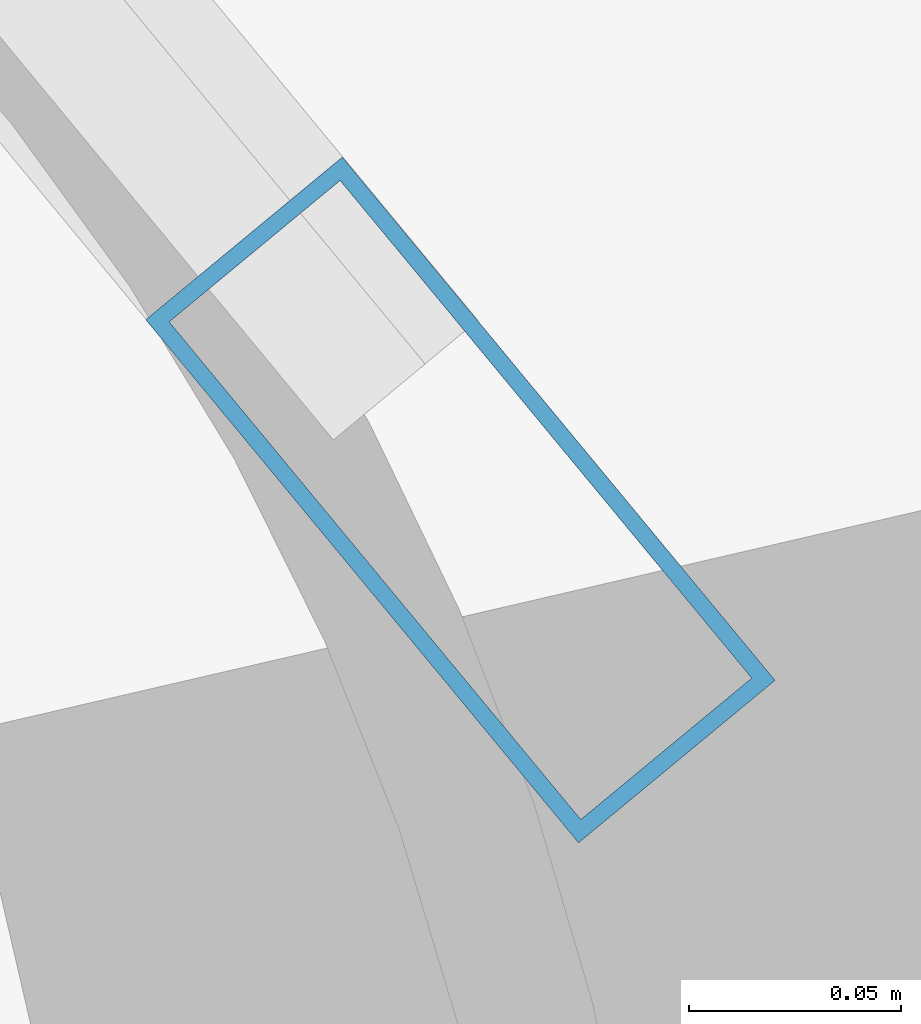
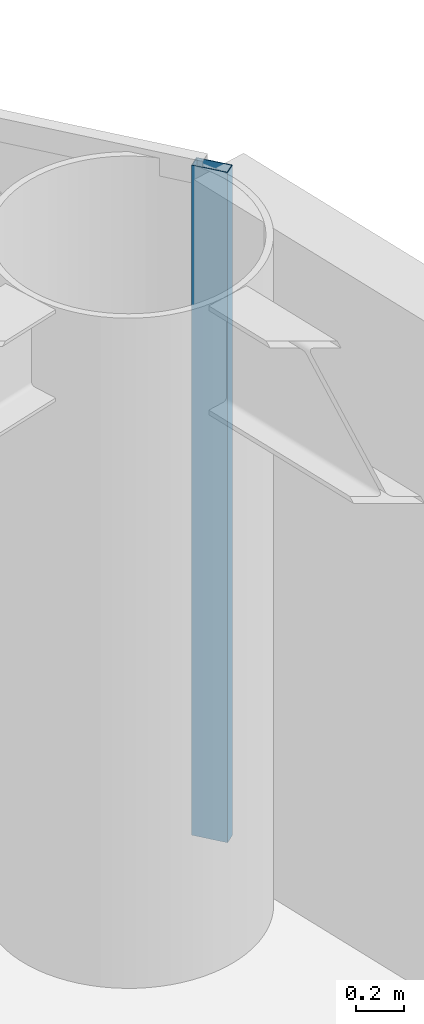
# One storey, part 9 of 28: 1 member, 1 element without a shape of its own.
"""IFC4 building model written with IfcOpenShell, lengths in metres."""

from ifc_helpers import new_model, si_unit, direction, frame, origin, origin_2d, place, context, subcontext, project, spatial, hollow_rectangle, extrude, material, layer, layer_set, material_profile, profile_set, type_object, element, aggregate, save


model = new_model("IFC4")

# Units and contexts
model_context = context("Model", 3, precision=1e-05, world=origin(), true_north=direction((0.0, 1.0)))
body_context = subcontext(model_context, "Body", "Model", "MODEL_VIEW")
ifc_project = project(units=[si_unit("LENGTHUNIT", "METRE"), si_unit("AREAUNIT", "SQUARE_METRE"), si_unit("VOLUMEUNIT", "CUBIC_METRE"), si_unit("PLANEANGLEUNIT", "RADIAN"), si_unit("MASSUNIT", "GRAM", prefix="KILO")], contexts=[model_context])

# Site, building, storey
site_placement = place(None, origin())
site = spatial("IfcSite", under=ifc_project, at=site_placement, CompositionType="ELEMENT")
building_placement = place(site_placement, origin())
building = spatial("IfcBuilding", under=site, at=building_placement, Name="Sarneth Arch Tower", CompositionType="ELEMENT")
storey_placement = place(building_placement, frame((0.0, 0.0, 190.199951171875)))
storey = spatial("IfcBuildingStorey", under=building, at=storey_placement, Name="L48", CompositionType="ELEMENT", Elevation=190.199951171875)

# Curtain wall, member
ifc_material_1 = material(Name="Anodised aluminium Type AA25 and solar-control low-e laminated IGU", Category="aluminium")
ifc_layer = layer(ifc_material_1, 0.169921875)
ifc_layer_set = layer_set([ifc_layer], Name="Anodised aluminium Type AA25 and solar-control low-e laminated IGU")
curtain_wall_type = type_object("IfcCurtainWallType", Name="CW-RES-MID", PredefinedType="NOTDEFINED", material=ifc_layer_set)
curtain_wall_placement = place(storey_placement, origin())
curtain_wall = element("IfcCurtainWall", 1, at=curtain_wall_placement, inside=storey, type_object=curtain_wall_type, Name="L48 Unitised curtain wall facet 02", PredefinedType="NOTDEFINED")
ifc_material_2 = material(Name="Anodised Aluminium 6063-T6", Category="aluminium")
ifc_material_profile = material_profile(ifc_material_2, hollow_rectangle(XDim=0.06005859375, YDim=0.159912109375, WallThickness=0.00390625, at=origin_2d()), Name="AL-MULL-160x60x4")
ifc_profile_set = profile_set([ifc_material_profile], Name="Anodised Aluminium 6063-T6")
member_type = type_object("IfcMemberType", Name="CW-MULLION", PredefinedType="MULLION", material=ifc_profile_set)
member_placement = place(storey_placement, frame((73.213134765625, 50.090087890625, 0.0), z_axis=(0.0, 0.0, 1.0), x_axis=(-0.770590741276, -0.637330298558, 0.0)))
member = element("IfcMember", 2, at=member_placement, type_object=member_type, Name="CW-SYS-5 mullion 1", PredefinedType="MULLION", context=body_context, shape_type="SweptSolid", body=[
    extrude(hollow_rectangle(XDim=0.06005859375, YDim=0.159912109375, WallThickness=0.00390625, at=origin_2d()), origin(), (0.0, 0.0, 1.0), 3.380126953125),
])
aggregate(curtain_wall, [member])

save(model, "model.ifc")
